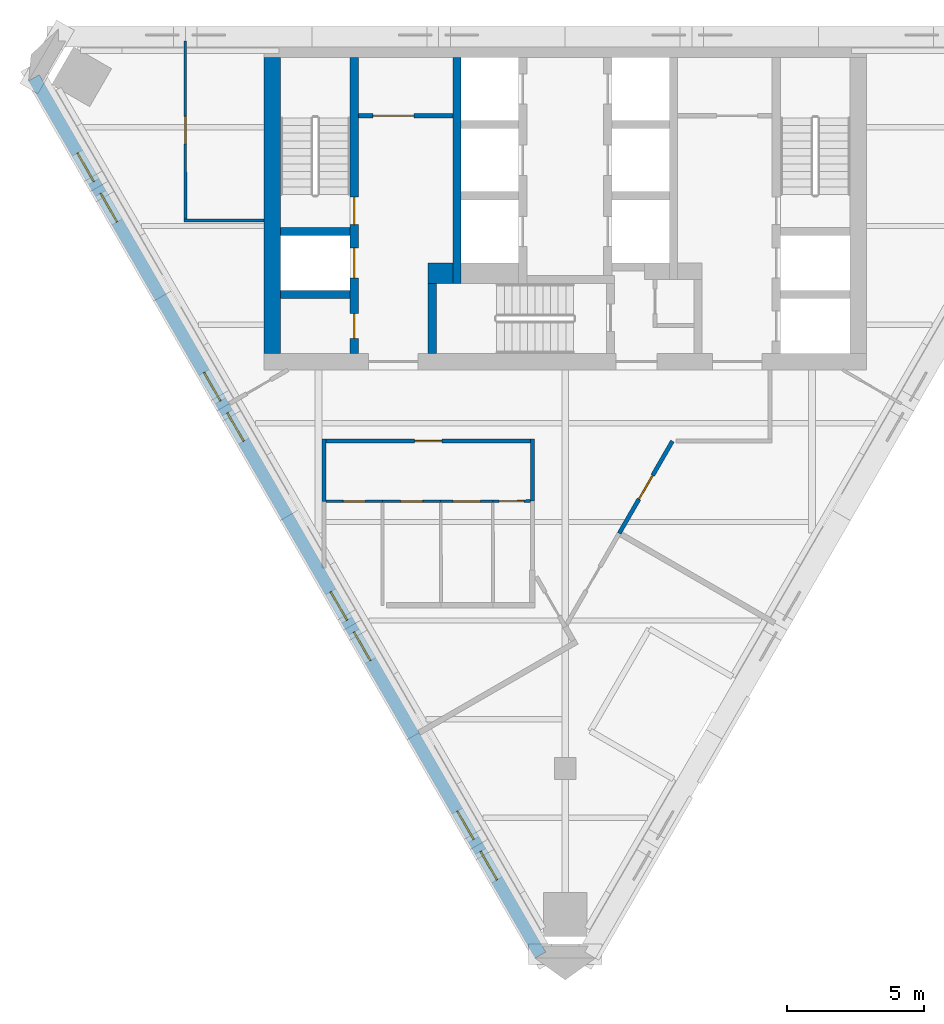
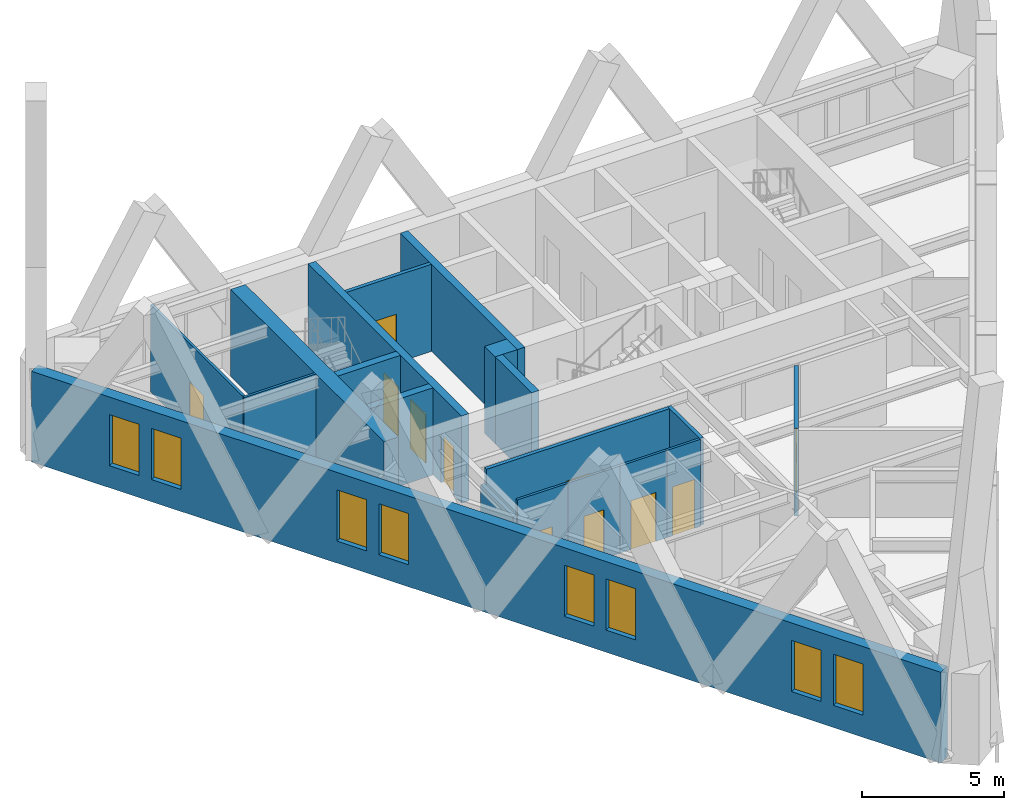
# One storey, part 3 of 7: 19 walls, 11 doors, 8 windows, 19 openings.
"""IFC4 building model written with IfcOpenShell, lengths in metres."""

from ifc_helpers import new_model, si_unit, direction, frame, frame_2d, origin, place, context, subcontext, project, spatial, polyline, rectangle, outline, extrude, material, layer, layer_set, type_object, element, fill, save


model = new_model("IFC4")

# Units and contexts
model_context = context("Model", 3, precision=1e-05, world=origin(), true_north=direction((0.0, 1.0)))
body_context = subcontext(model_context, "Body", "Model", "MODEL_VIEW")
ifc_project = project(units=[si_unit("LENGTHUNIT", "METRE"), si_unit("AREAUNIT", "SQUARE_METRE"), si_unit("VOLUMEUNIT", "CUBIC_METRE"), si_unit("PLANEANGLEUNIT", "RADIAN"), si_unit("MASSUNIT", "GRAM", prefix="KILO")], contexts=[model_context])

# Site, building, storey
site_placement = place(None, origin())
site = spatial("IfcSite", under=ifc_project, at=site_placement, CompositionType="ELEMENT")
building_placement = place(site_placement, origin())
building = spatial("IfcBuilding", under=site, at=building_placement, Name="Aloe Facet Convention Tower", CompositionType="ELEMENT")
storey_placement = place(building_placement, frame((0.0, 0.0, 269.89990234375)))
storey = spatial("IfcBuildingStorey", under=building, at=storey_placement, Name="L66", CompositionType="ELEMENT", Elevation=269.89990234375)

# Wall, opening, door
ifc_material_1 = material(Name="Concrete blockwork partition", Category="masonry")
ifc_layer_1 = layer(ifc_material_1, 0.14990234375)
ifc_layer_set_1 = layer_set([ifc_layer_1], Name="CR-W-PART150")
wall_type_1 = type_object("IfcWallType", Name="CR-W-PART150", PredefinedType="PARTITIONING", material=ifc_layer_set_1)
wall_1_placement = place(storey_placement, frame((72.449951171875, 131.824951171875, 0.0), z_axis=(0.0, 0.0, 1.0), x_axis=(1.0, 0.0, 0.0)))
wall_1 = element("IfcWall", 1, at=wall_1_placement, inside=storey, type_object=wall_type_1, Name="Core partition L66-007", PredefinedType="PARTITIONING", context=body_context, shape_type="SweptSolid", body=[
    extrude(rectangle(XDim=3.449951171875, YDim=0.14990234375, at=frame_2d((1.72509765625, 0.0))), origin(), (0.0, 0.0, 1.0), 3.75),
])
opening_1_placement = place(wall_1_placement, frame((0.52490234375, 0.0, 0.0)))
opening_1 = element("IfcOpeningElement", 2, at=opening_1_placement, cuts=wall_1, Name="Opening L66-CD14", PredefinedType="OPENING", context=body_context, shape_type="SweptSolid", body=[
    extrude(rectangle(XDim=1.5, YDim=2.10009765625, at=frame_2d((0.75, 1.050048828125))), frame((0.0, 0.0849609375, 0.0), z_axis=(0.0, -1.0, 0.0), x_axis=(1.0, 0.0, 0.0)), (0.0, 0.0, 1.0), 0.169921875),
])
ifc_material_2 = material(Name="Steel fire-resisting door set FD60", Category="steel")
door_type_1 = type_object("IfcDoorType", Name="CR-D-REFUGE-1500-FD60-DD", OperationType="DOUBLE_DOOR_DOUBLE_SWING", PredefinedType="DOOR", material=ifc_material_2)
door_1_placement = place(opening_1_placement, origin())
door_1 = element("IfcDoor", 3, at=door_1_placement, inside=storey, type_object=door_type_1, Name="Core door L66-CD14", OperationType="DOUBLE_DOOR_DOUBLE_SWING", OverallHeight=2.10009765625, OverallWidth=1.5, PredefinedType="DOOR", context=body_context, shape_type="SweptSolid", body=[
    extrude(rectangle(XDim=1.5, YDim=2.10009765625, at=frame_2d((0.75, 1.050048828125))), frame((0.0, 0.02490234375, 0.0), z_axis=(0.0, -1.0, 0.0), x_axis=(1.0, 0.0, 0.0)), (0.0, 0.0, 1.0), 0.050048828125),
])
fill(opening_1, door_1)

# Walls
ifc_material_3 = material(Name="Concrete C50/60", Category="concrete")
ifc_layer_2 = layer(ifc_material_3, 0.300048828125)
ifc_layer_set_2 = layer_set([ifc_layer_2], Name="CR-W-RC300-C5060")
wall_type_2 = type_object("IfcWallType", Name="CR-W-RC300-C5060", PredefinedType="SOLIDWALL", material=ifc_layer_set_2)
for number, where, z_axis, x_axis, name in (
    (4, (69.60009765625, 127.60009765625, 0.0), (0.0, 0.0, 1.0), (1.0, 0.0, 0.0), "Core wall L66-004"),
    (5, (69.60009765625, 125.300048828125, 0.0), (0.0, 0.0, 1.0), (1.0, 0.0, 0.0), "Core wall L66-005"),
):
    element("IfcWall", number, at=place(storey_placement, frame(where, z_axis=z_axis, x_axis=x_axis)), inside=storey, type_object=wall_type_2, Name=name, PredefinedType="SOLIDWALL", context=body_context, shape_type="SweptSolid", body=[
        extrude(rectangle(XDim=2.5498046875, YDim=0.300048828125, at=frame_2d((1.27490234375, 0.0))), origin(), (0.0, 0.0, 1.0), 3.75),
    ])

# Wall, openings, doors
wall_2_placement = place(storey_placement, frame((72.300048828125, 133.949951171875, 0.0), z_axis=(0.0, 0.0, 1.0), x_axis=(0.0, -1.0, 0.0)))
wall_2 = element("IfcWall", 6, at=wall_2_placement, inside=storey, type_object=wall_type_2, Name="Core wall L66-006", PredefinedType="SOLIDWALL", context=body_context, shape_type="SweptSolid", body=[
    extrude(rectangle(XDim=10.800048828125, YDim=0.300048828125, at=frame_2d((5.39990234375, 0.0))), origin(), (0.0, 0.0, 1.0), 3.75),
])
opening_2_placement = place(wall_2_placement, frame((6.949951171875, 0.0, 0.0)))
opening_2 = element("IfcOpeningElement", 7, at=opening_2_placement, cuts=wall_2, Name="Opening LD-FF1-L66", PredefinedType="OPENING", context=body_context, shape_type="SweptSolid", body=[
    extrude(rectangle(XDim=1.10009765625, YDim=2.10009765625, at=frame_2d((0.550048828125, 1.050048828125))), frame((0.0, 0.16015625, 0.0), z_axis=(0.0, -1.0, 0.0), x_axis=(1.0, 0.0, 0.0)), (0.0, 0.0, 1.0), 0.320068359375),
])
opening_3_placement = place(wall_2_placement, frame((9.35009765625, 0.0, 0.0)))
opening_3 = element("IfcOpeningElement", 8, at=opening_3_placement, cuts=wall_2, Name="Opening L66-CD15", PredefinedType="OPENING", context=body_context, shape_type="SweptSolid", body=[
    extrude(rectangle(XDim=0.89990234375, YDim=2.10009765625, at=frame_2d((0.449951171875, 1.050048828125))), frame((0.0, 0.16015625, 0.0), z_axis=(0.0, -1.0, 0.0), x_axis=(1.0, 0.0, 0.0)), (0.0, 0.0, 1.0), 0.320068359375),
])
opening_4_placement = place(wall_2_placement, frame((5.10009765625, 0.0, 0.0)))
opening_4 = element("IfcOpeningElement", 9, at=opening_4_placement, cuts=wall_2, Name="Opening L66-CD16", PredefinedType="OPENING", context=body_context, shape_type="SweptSolid", body=[
    extrude(rectangle(XDim=1.0, YDim=2.10009765625, at=frame_2d((0.5, 1.050048828125))), frame((0.0, 0.16015625, 0.0), z_axis=(0.0, -1.0, 0.0), x_axis=(1.0, 0.0, 0.0)), (0.0, 0.0, 1.0), 0.320068359375),
])
ifc_material_4 = material(Name="Steel fire-resisting door set FD60", Category="steel")
door_type_2 = type_object("IfcDoorType", Name="CR-D-ROOM-900-FD60-SLEFT", OperationType="SINGLE_SWING_LEFT", PredefinedType="DOOR", material=ifc_material_4)
door_2_placement = place(opening_3_placement, origin())
door_2 = element("IfcDoor", 10, at=door_2_placement, inside=storey, type_object=door_type_2, Name="Core door L66-CD15", OperationType="SINGLE_SWING_LEFT", OverallHeight=2.10009765625, OverallWidth=0.89990234375, PredefinedType="DOOR", context=body_context, shape_type="SweptSolid", body=[
    extrude(rectangle(XDim=0.89990234375, YDim=2.10009765625, at=frame_2d((0.449951171875, 1.050048828125))), frame((0.0, 0.02490234375, 0.0), z_axis=(0.0, -1.0, 0.0), x_axis=(1.0, 0.0, 0.0)), (0.0, 0.0, 1.0), 0.050048828125),
])
fill(opening_3, door_2)
ifc_material_5 = material(Name="Steel fire-resisting door set FD120", Category="steel")
door_type_3 = type_object("IfcDoorType", Name="CR-D-STAIR-1000-FD120-SRIGHT", OperationType="SINGLE_SWING_RIGHT", PredefinedType="DOOR", material=ifc_material_5)
door_3_placement = place(opening_4_placement, origin())
door_3 = element("IfcDoor", 11, at=door_3_placement, inside=storey, type_object=door_type_3, Name="Core door L66-CD16", OperationType="SINGLE_SWING_RIGHT", OverallHeight=2.10009765625, OverallWidth=1.0, PredefinedType="DOOR", context=body_context, shape_type="SweptSolid", body=[
    extrude(rectangle(XDim=1.0, YDim=2.10009765625, at=frame_2d((0.5, 1.050048828125))), frame((0.0, 0.02490234375, 0.0), z_axis=(0.0, -1.0, 0.0), x_axis=(1.0, 0.0, 0.0)), (0.0, 0.0, 1.0), 0.050048828125),
])
fill(opening_4, door_3)
ifc_material_6 = material(Name="Stainless steel sliding landing door", Category="steel")
door_type_4 = type_object("IfcDoorType", Name="CR-LD-1100-FD120-_LEFT", OperationType="SLIDING_TO_LEFT", PredefinedType="DOOR", material=ifc_material_6)
door_4_placement = place(opening_2_placement, origin())
door_4 = element("IfcDoor", 12, at=door_4_placement, inside=storey, type_object=door_type_4, Name="Landing door FF1 L66", OperationType="SLIDING_TO_LEFT", OverallHeight=2.10009765625, OverallWidth=1.10009765625, PredefinedType="DOOR", context=body_context, shape_type="SweptSolid", body=[
    extrude(rectangle(XDim=1.10009765625, YDim=2.10009765625, at=frame_2d((0.550048828125, 1.050048828125))), frame((0.0, 0.02490234375, 0.0), z_axis=(0.0, -1.0, 0.0), x_axis=(1.0, 0.0, 0.0)), (0.0, 0.0, 1.0), 0.050048828125),
])
fill(opening_2, door_4)

# Walls
wall_3_placement = place(storey_placement, frame((75.14990234375, 125.699951171875, 0.0), z_axis=(0.0, 0.0, 1.0), x_axis=(0.0, -1.0, 0.0)))
element("IfcWall", 13, at=wall_3_placement, inside=storey, type_object=wall_type_2, Name="Core wall L66-009", PredefinedType="SOLIDWALL", context=body_context, shape_type="SweptSolid", body=[
    extrude(rectangle(XDim=2.550048828125, YDim=0.300048828125, at=frame_2d((1.27490234375, 0.0))), origin(), (0.0, 0.0, 1.0), 3.75),
])
wall_4_placement = place(storey_placement, frame((76.050048828125, 133.949951171875, 0.0), z_axis=(0.0, 0.0, 1.0), x_axis=(0.0, -1.0, 0.0)))
element("IfcWall", 14, at=wall_4_placement, inside=storey, type_object=wall_type_2, Name="Core wall L66-010", PredefinedType="SOLIDWALL", context=body_context, shape_type="SweptSolid", body=[
    extrude(rectangle(XDim=8.25, YDim=0.300048828125, at=frame_2d((4.125, 0.0))), origin(), (0.0, 0.0, 1.0), 3.75),
])
ifc_material_7 = material(Name="Concrete C50/60", Category="concrete")
ifc_layer_3 = layer(ifc_material_7, 0.60009765625)
ifc_layer_set_3 = layer_set([ifc_layer_3], Name="CR-W-RC600-C5060")
wall_type_3 = type_object("IfcWallType", Name="CR-W-RC600-C5060", PredefinedType="SOLIDWALL", material=ifc_layer_set_3)
wall_5_placement = place(storey_placement, frame((69.300048828125, 133.949951171875, 0.0), z_axis=(0.0, 0.0, 1.0), x_axis=(0.0, -1.0, 0.0)))
element("IfcWall", 15, at=wall_5_placement, inside=storey, type_object=wall_type_3, Name="Core wall L66-002", PredefinedType="SOLIDWALL", context=body_context, shape_type="SweptSolid", body=[
    extrude(rectangle(XDim=10.800048828125, YDim=0.60009765625, at=frame_2d((5.39990234375, 0.0))), origin(), (0.0, 0.0, 1.0), 3.75),
])
ifc_material_8 = material(Name="Concrete C50/60", Category="concrete")
ifc_layer_4 = layer(ifc_material_8, 0.75)
ifc_layer_set_4 = layer_set([ifc_layer_4], Name="CR-W-RC750-C5060")
wall_type_4 = type_object("IfcWallType", Name="CR-W-RC750-C5060", PredefinedType="SOLIDWALL", material=ifc_layer_set_4)
wall_6_placement = place(storey_placement, frame((75.0, 126.074951171875, 0.0), z_axis=(0.0, 0.0, 1.0), x_axis=(1.0, 0.0, 0.0)))
element("IfcWall", 16, at=wall_6_placement, inside=storey, type_object=wall_type_4, Name="Core wall L66-008", PredefinedType="SOLIDWALL", context=body_context, shape_type="SweptSolid", body=[
    extrude(rectangle(XDim=0.89990234375, YDim=0.75, at=frame_2d((0.449951171875, 0.0))), origin(), (0.0, 0.0, 1.0), 3.75),
])

# Wall, openings, windows
ifc_material_9 = material(Name="Precast concrete C40/50", Category="concrete")
ifc_layer_5 = layer(ifc_material_9, 0.449951171875)
ifc_layer_set_5 = layer_set([ifc_layer_5], Name="EV-WALL-STONE")
wall_type_5 = type_object("IfcWallType", Name="EV-WALL-STONE", PredefinedType="SOLIDWALL", material=ifc_layer_set_5)
wall_7_placement = place(storey_placement, frame((60.608642578125, 133.207275390625, -0.14990234375), z_axis=(0.0, 0.0, 1.0), x_axis=(0.500002536638, -0.866023939251, 0.0)))
wall_7 = element("IfcWall", 17, at=wall_7_placement, inside=storey, type_object=wall_type_5, Name="EW-L66-W01", PredefinedType="SOLIDWALL", context=body_context, shape_type="SweptSolid", body=[
    extrude(outline(polyline([(36.972412109375, 0.0), (36.972412109375, 3.89990234375), (0.0, 3.89990234375), (0.0, 0.0), (36.972412109375, 0.0)])), frame((0.0, 0.22509765625, 0.0), z_axis=(0.0, -1.0, 0.0), x_axis=(1.0, 0.0, 0.0)), (0.0, 0.0, 1.0), 0.449951171875),
])
opening_5_placement = place(wall_7_placement, frame((3.171630859375, 0.0, 0.949951171875)))
opening_5 = element("IfcOpeningElement", 18, at=opening_5_placement, cuts=wall_7, Name="Opening W-L66-W01", PredefinedType="OPENING", context=body_context, shape_type="SweptSolid", body=[
    extrude(rectangle(XDim=1.199951171875, YDim=2.199951171875, at=frame_2d((0.60009765625, 1.10009765625))), frame((0.0, 0.23486328125, 0.0), z_axis=(0.0, -1.0, 0.0), x_axis=(1.0, 0.0, 0.0)), (0.0, 0.0, 1.0), 0.469970703125),
])
opening_6_placement = place(wall_7_placement, frame((4.87158203125, 0.0, 0.949951171875)))
opening_6 = element("IfcOpeningElement", 19, at=opening_6_placement, cuts=wall_7, Name="Opening W-L66-W02", PredefinedType="OPENING", context=body_context, shape_type="SweptSolid", body=[
    extrude(rectangle(XDim=1.199951171875, YDim=2.199951171875, at=frame_2d((0.60009765625, 1.10009765625))), frame((0.0, 0.23486328125, 0.0), z_axis=(0.0, -1.0, 0.0), x_axis=(1.0, 0.0, 0.0)), (0.0, 0.0, 1.0), 0.469970703125),
])
opening_7_placement = place(wall_7_placement, frame((12.41455078125, 0.0, 0.949951171875)))
opening_7 = element("IfcOpeningElement", 20, at=opening_7_placement, cuts=wall_7, Name="Opening W-L66-W03", PredefinedType="OPENING", context=body_context, shape_type="SweptSolid", body=[
    extrude(rectangle(XDim=1.199951171875, YDim=2.199951171875, at=frame_2d((0.60009765625, 1.10009765625))), frame((0.0, 0.23486328125, 0.0), z_axis=(0.0, -1.0, 0.0), x_axis=(1.0, 0.0, 0.0)), (0.0, 0.0, 1.0), 0.469970703125),
])
opening_8_placement = place(wall_7_placement, frame((14.114501953125, 0.0, 0.949951171875)))
opening_8 = element("IfcOpeningElement", 21, at=opening_8_placement, cuts=wall_7, Name="Opening W-L66-W04", PredefinedType="OPENING", context=body_context, shape_type="SweptSolid", body=[
    extrude(rectangle(XDim=1.199951171875, YDim=2.199951171875, at=frame_2d((0.60009765625, 1.10009765625))), frame((0.0, 0.23486328125, 0.0), z_axis=(0.0, -1.0, 0.0), x_axis=(1.0, 0.0, 0.0)), (0.0, 0.0, 1.0), 0.469970703125),
])
opening_9_placement = place(wall_7_placement, frame((21.65771484375, 0.0, 0.949951171875)))
opening_9 = element("IfcOpeningElement", 22, at=opening_9_placement, cuts=wall_7, Name="Opening W-L66-W05", PredefinedType="OPENING", context=body_context, shape_type="SweptSolid", body=[
    extrude(rectangle(XDim=1.199951171875, YDim=2.199951171875, at=frame_2d((0.60009765625, 1.10009765625))), frame((0.0, 0.23486328125, 0.0), z_axis=(0.0, -1.0, 0.0), x_axis=(1.0, 0.0, 0.0)), (0.0, 0.0, 1.0), 0.469970703125),
])
opening_10_placement = place(wall_7_placement, frame((23.357666015625, 0.0, 0.949951171875)))
opening_10 = element("IfcOpeningElement", 23, at=opening_10_placement, cuts=wall_7, Name="Opening W-L66-W06", PredefinedType="OPENING", context=body_context, shape_type="SweptSolid", body=[
    extrude(rectangle(XDim=1.199951171875, YDim=2.199951171875, at=frame_2d((0.60009765625, 1.10009765625))), frame((0.0, 0.23486328125, 0.0), z_axis=(0.0, -1.0, 0.0), x_axis=(1.0, 0.0, 0.0)), (0.0, 0.0, 1.0), 0.469970703125),
])
opening_11_placement = place(wall_7_placement, frame((30.90087890625, 0.0, 0.949951171875)))
opening_11 = element("IfcOpeningElement", 24, at=opening_11_placement, cuts=wall_7, Name="Opening W-L66-W07", PredefinedType="OPENING", context=body_context, shape_type="SweptSolid", body=[
    extrude(rectangle(XDim=1.199951171875, YDim=2.199951171875, at=frame_2d((0.60009765625, 1.10009765625))), frame((0.0, 0.23486328125, 0.0), z_axis=(0.0, -1.0, 0.0), x_axis=(1.0, 0.0, 0.0)), (0.0, 0.0, 1.0), 0.469970703125),
])
opening_12_placement = place(wall_7_placement, frame((32.600830078125, 0.0, 0.949951171875)))
opening_12 = element("IfcOpeningElement", 25, at=opening_12_placement, cuts=wall_7, Name="Opening W-L66-W08", PredefinedType="OPENING", context=body_context, shape_type="SweptSolid", body=[
    extrude(rectangle(XDim=1.199951171875, YDim=2.199951171875, at=frame_2d((0.60009765625, 1.10009765625))), frame((0.0, 0.23486328125, 0.0), z_axis=(0.0, -1.0, 0.0), x_axis=(1.0, 0.0, 0.0)), (0.0, 0.0, 1.0), 0.469970703125),
])
ifc_material_10 = material(Name="Aluminium frame, clear double glazing", Category="aluminium")
window_type = type_object("IfcWindowType", Name="EV-WIN-O12", PartitioningType="SINGLE_PANEL", PredefinedType="WINDOW", material=ifc_material_10)
window_1_placement = place(opening_5_placement, origin())
window_1 = element("IfcWindow", 26, at=window_1_placement, inside=storey, type_object=window_type, Name="W-L66-W01", OverallHeight=2.199951171875, OverallWidth=1.199951171875, PartitioningType="SINGLE_PANEL", PredefinedType="WINDOW", context=body_context, shape_type="SweptSolid", body=[
    extrude(rectangle(XDim=1.199951171875, YDim=2.199951171875, at=frame_2d((0.60009765625, 1.10009765625))), frame((0.0, 0.030029296875, 0.0), z_axis=(0.0, -1.0, 0.0), x_axis=(1.0, 0.0, 0.0)), (0.0, 0.0, 1.0), 0.06005859375),
])
fill(opening_5, window_1)
window_2_placement = place(opening_6_placement, origin())
window_2 = element("IfcWindow", 27, at=window_2_placement, inside=storey, type_object=window_type, Name="W-L66-W02", OverallHeight=2.199951171875, OverallWidth=1.199951171875, PartitioningType="SINGLE_PANEL", PredefinedType="WINDOW", context=body_context, shape_type="SweptSolid", body=[
    extrude(rectangle(XDim=1.199951171875, YDim=2.199951171875, at=frame_2d((0.60009765625, 1.10009765625))), frame((0.0, 0.030029296875, 0.0), z_axis=(0.0, -1.0, 0.0), x_axis=(1.0, 0.0, 0.0)), (0.0, 0.0, 1.0), 0.06005859375),
])
fill(opening_6, window_2)
window_3_placement = place(opening_7_placement, origin())
window_3 = element("IfcWindow", 28, at=window_3_placement, inside=storey, type_object=window_type, Name="W-L66-W03", OverallHeight=2.199951171875, OverallWidth=1.199951171875, PartitioningType="SINGLE_PANEL", PredefinedType="WINDOW", context=body_context, shape_type="SweptSolid", body=[
    extrude(rectangle(XDim=1.199951171875, YDim=2.199951171875, at=frame_2d((0.60009765625, 1.10009765625))), frame((0.0, 0.030029296875, 0.0), z_axis=(0.0, -1.0, 0.0), x_axis=(1.0, 0.0, 0.0)), (0.0, 0.0, 1.0), 0.06005859375),
])
fill(opening_7, window_3)
window_4_placement = place(opening_8_placement, origin())
window_4 = element("IfcWindow", 29, at=window_4_placement, inside=storey, type_object=window_type, Name="W-L66-W04", OverallHeight=2.199951171875, OverallWidth=1.199951171875, PartitioningType="SINGLE_PANEL", PredefinedType="WINDOW", context=body_context, shape_type="SweptSolid", body=[
    extrude(rectangle(XDim=1.199951171875, YDim=2.199951171875, at=frame_2d((0.60009765625, 1.10009765625))), frame((0.0, 0.030029296875, 0.0), z_axis=(0.0, -1.0, 0.0), x_axis=(1.0, 0.0, 0.0)), (0.0, 0.0, 1.0), 0.06005859375),
])
fill(opening_8, window_4)
window_5_placement = place(opening_9_placement, origin())
window_5 = element("IfcWindow", 30, at=window_5_placement, inside=storey, type_object=window_type, Name="W-L66-W05", OverallHeight=2.199951171875, OverallWidth=1.199951171875, PartitioningType="SINGLE_PANEL", PredefinedType="WINDOW", context=body_context, shape_type="SweptSolid", body=[
    extrude(rectangle(XDim=1.199951171875, YDim=2.199951171875, at=frame_2d((0.60009765625, 1.10009765625))), frame((0.0, 0.030029296875, 0.0), z_axis=(0.0, -1.0, 0.0), x_axis=(1.0, 0.0, 0.0)), (0.0, 0.0, 1.0), 0.06005859375),
])
fill(opening_9, window_5)
window_6_placement = place(opening_10_placement, origin())
window_6 = element("IfcWindow", 31, at=window_6_placement, inside=storey, type_object=window_type, Name="W-L66-W06", OverallHeight=2.199951171875, OverallWidth=1.199951171875, PartitioningType="SINGLE_PANEL", PredefinedType="WINDOW", context=body_context, shape_type="SweptSolid", body=[
    extrude(rectangle(XDim=1.199951171875, YDim=2.199951171875, at=frame_2d((0.60009765625, 1.10009765625))), frame((0.0, 0.030029296875, 0.0), z_axis=(0.0, -1.0, 0.0), x_axis=(1.0, 0.0, 0.0)), (0.0, 0.0, 1.0), 0.06005859375),
])
fill(opening_10, window_6)
window_7_placement = place(opening_11_placement, origin())
window_7 = element("IfcWindow", 32, at=window_7_placement, inside=storey, type_object=window_type, Name="W-L66-W07", OverallHeight=2.199951171875, OverallWidth=1.199951171875, PartitioningType="SINGLE_PANEL", PredefinedType="WINDOW", context=body_context, shape_type="SweptSolid", body=[
    extrude(rectangle(XDim=1.199951171875, YDim=2.199951171875, at=frame_2d((0.60009765625, 1.10009765625))), frame((0.0, 0.030029296875, 0.0), z_axis=(0.0, -1.0, 0.0), x_axis=(1.0, 0.0, 0.0)), (0.0, 0.0, 1.0), 0.06005859375),
])
fill(opening_11, window_7)
window_8_placement = place(opening_12_placement, origin())
window_8 = element("IfcWindow", 33, at=window_8_placement, inside=storey, type_object=window_type, Name="W-L66-W08", OverallHeight=2.199951171875, OverallWidth=1.199951171875, PartitioningType="SINGLE_PANEL", PredefinedType="WINDOW", context=body_context, shape_type="SweptSolid", body=[
    extrude(rectangle(XDim=1.199951171875, YDim=2.199951171875, at=frame_2d((0.60009765625, 1.10009765625))), frame((0.0, 0.030029296875, 0.0), z_axis=(0.0, -1.0, 0.0), x_axis=(1.0, 0.0, 0.0)), (0.0, 0.0, 1.0), 0.06005859375),
])
fill(opening_12, window_8)

# Walls
ifc_material_11 = material(Name="Gypsum board partition on steel studs", Category="steel")
ifc_layer_6 = layer(ifc_material_11, 0.14990234375)
ifc_layer_set_6 = layer_set([ifc_layer_6], Name="IN-W-CORR")
wall_type_6 = type_object("IfcWallType", Name="IN-W-CORR", PredefinedType="PARTITIONING", material=ifc_layer_set_6)
wall_8_placement = place(storey_placement, frame((78.800048828125, 117.760009765625, 0.0), z_axis=(0.0, 0.0, 1.0), x_axis=(0.0, 1.0, 0.0)))
element("IfcWall", 34, at=wall_8_placement, inside=storey, type_object=wall_type_6, Name="Partition L66-W011", PredefinedType="PARTITIONING", context=body_context, shape_type="SweptSolid", body=[
    extrude(rectangle(XDim=2.262939453125, YDim=0.14990234375, at=frame_2d((1.13134765625, 0.0))), origin(), (0.0, 0.0, 1.0), 3.75),
])
wall_9_placement = place(storey_placement, frame((71.199951171875, 117.75, 0.0), z_axis=(0.0, 0.0, 1.0), x_axis=(0.0, 1.0, 0.0)))
element("IfcWall", 35, at=wall_9_placement, inside=storey, type_object=wall_type_6, Name="Partition L66-W020", PredefinedType="PARTITIONING", context=body_context, shape_type="SweptSolid", body=[
    extrude(rectangle(XDim=2.27294921875, YDim=0.14990234375, at=frame_2d((1.136474609375, 0.0))), origin(), (0.0, 0.0, 1.0), 3.062255859375),
])

# Wall, opening, door
wall_10_placement = place(storey_placement, frame((81.97021484375, 116.5830078125, 0.0), z_axis=(0.0, 0.0, 1.0), x_axis=(0.500003384379, 0.866023449803, 0.0)))
wall_10 = element("IfcWall", 36, at=wall_10_placement, inside=storey, type_object=wall_type_6, Name="Partition L66-W021", PredefinedType="PARTITIONING", context=body_context, shape_type="SweptSolid", body=[
    extrude(rectangle(XDim=3.88671875, YDim=0.14990234375, at=frame_2d((1.943359375, 0.0))), origin(), (0.0, 0.0, 1.0), 3.75),
])
opening_13_placement = place(wall_10_placement, frame((1.443359375, 0.0, 0.0)))
opening_13 = element("IfcOpeningElement", 37, at=opening_13_placement, cuts=wall_10, Name="Opening L66-011", PredefinedType="OPENING", context=body_context, shape_type="SweptSolid", body=[
    extrude(rectangle(XDim=1.0, YDim=2.10009765625, at=frame_2d((0.5, 1.050048828125))), frame((0.0, 0.0849609375, 0.0), z_axis=(0.0, -1.0, 0.0), x_axis=(1.0, 0.0, 0.0)), (0.0, 0.0, 1.0), 0.169921875),
])
ifc_material_12 = material(Name="Timber door FD30S with vision panel", Category="wood")
door_type_5 = type_object("IfcDoorType", Name="IN-OFF-D-ENTRY", OperationType="SINGLE_SWING_LEFT", PredefinedType="DOOR", material=ifc_material_12)
door_5_placement = place(opening_13_placement, origin())
door_5 = element("IfcDoor", 38, at=door_5_placement, inside=storey, type_object=door_type_5, Name="Door L66-011", OperationType="SINGLE_SWING_LEFT", OverallHeight=2.10009765625, OverallWidth=1.0, PredefinedType="DOOR", context=body_context, shape_type="SweptSolid", body=[
    extrude(rectangle(XDim=1.0, YDim=2.10009765625, at=frame_2d((0.5, 1.050048828125))), frame((0.0, 0.02490234375, 0.0), z_axis=(0.0, -1.0, 0.0), x_axis=(1.0, 0.0, 0.0)), (0.0, 0.0, 1.0), 0.050048828125),
])
fill(opening_13, door_5)

wall_11_placement = place(storey_placement, frame((71.27490234375, 119.947998046875, 0.0), z_axis=(0.0, 0.0, 1.0), x_axis=(1.0, 0.0, 0.0)))
wall_11 = element("IfcWall", 39, at=wall_11_placement, inside=storey, type_object=wall_type_6, Name="Partition L66-W022", PredefinedType="PARTITIONING", context=body_context, shape_type="SweptSolid", body=[
    extrude(rectangle(XDim=7.4501953125, YDim=0.14990234375, at=frame_2d((3.72509765625, 0.0))), origin(), (0.0, 0.0, 1.0), 3.75),
])
opening_14_placement = place(wall_11_placement, frame((3.22509765625, 0.0, 0.0)))
opening_14 = element("IfcOpeningElement", 40, at=opening_14_placement, cuts=wall_11, Name="Opening L66-001", PredefinedType="OPENING", context=body_context, shape_type="SweptSolid", body=[
    extrude(rectangle(XDim=1.0, YDim=2.10009765625, at=frame_2d((0.5, 1.050048828125))), frame((0.0, 0.0849609375, 0.0), z_axis=(0.0, -1.0, 0.0), x_axis=(1.0, 0.0, 0.0)), (0.0, 0.0, 1.0), 0.169921875),
])
door_6_placement = place(opening_14_placement, origin())
door_6 = element("IfcDoor", 41, at=door_6_placement, inside=storey, type_object=door_type_5, Name="Door L66-001", OperationType="SINGLE_SWING_LEFT", OverallHeight=2.10009765625, OverallWidth=1.0, PredefinedType="DOOR", context=body_context, shape_type="SweptSolid", body=[
    extrude(rectangle(XDim=1.0, YDim=2.10009765625, at=frame_2d((0.5, 1.050048828125))), frame((0.0, 0.02490234375, 0.0), z_axis=(0.0, -1.0, 0.0), x_axis=(1.0, 0.0, 0.0)), (0.0, 0.0, 1.0), 0.050048828125),
])
fill(opening_14, door_6)

ifc_material_13 = material(Name="Gypsum board partition on steel studs", Category="steel")
ifc_layer_7 = layer(ifc_material_13, 0.10009765625)
ifc_layer_set_7 = layer_set([ifc_layer_7], Name="IN-W-PART")
wall_type_7 = type_object("IfcWallType", Name="IN-W-PART", PredefinedType="PARTITIONING", material=ifc_layer_set_7)
wall_12_placement = place(storey_placement, frame((71.27490234375, 117.75, 0.0), z_axis=(0.0, 0.0, 1.0), x_axis=(1.0, 0.0, 0.0)))
wall_12 = element("IfcWall", 42, at=wall_12_placement, inside=storey, type_object=wall_type_7, Name="Partition L66-W013", PredefinedType="PARTITIONING", context=body_context, shape_type="SweptSolid", body=[
    extrude(rectangle(XDim=2.052978515625, YDim=0.10009765625, at=frame_2d((1.0263671875, 0.0))), origin(), (0.0, 0.0, 1.0), 3.75),
])
opening_15_placement = place(wall_12_placement, frame((0.62646484375, 0.0, 0.0)))
opening_15 = element("IfcOpeningElement", 43, at=opening_15_placement, cuts=wall_12, Name="Opening L66-002", PredefinedType="OPENING", context=body_context, shape_type="SweptSolid", body=[
    extrude(rectangle(XDim=0.800048828125, YDim=2.10009765625, at=frame_2d((0.39990234375, 1.050048828125))), frame((0.0, 0.06005859375, 0.0), z_axis=(0.0, -1.0, 0.0), x_axis=(1.0, 0.0, 0.0)), (0.0, 0.0, 1.0), 0.1201171875),
])
ifc_material_14 = material(Name="Timber door", Category="wood")
door_type_6 = type_object("IfcDoorType", Name="IN-OFF-D-WC", OperationType="SINGLE_SWING_LEFT", PredefinedType="DOOR", material=ifc_material_14)
door_7_placement = place(opening_15_placement, origin())
door_7 = element("IfcDoor", 44, at=door_7_placement, inside=storey, type_object=door_type_6, Name="Door L66-002", OperationType="SINGLE_SWING_LEFT", OverallHeight=2.10009765625, OverallWidth=0.800048828125, PredefinedType="DOOR", context=body_context, shape_type="SweptSolid", body=[
    extrude(rectangle(XDim=0.800048828125, YDim=2.10009765625, at=frame_2d((0.39990234375, 1.050048828125))), frame((0.0, 0.02490234375, 0.0), z_axis=(0.0, -1.0, 0.0), x_axis=(1.0, 0.0, 0.0)), (0.0, 0.0, 1.0), 0.050048828125),
])
fill(opening_15, door_7)

wall_13_placement = place(storey_placement, frame((73.327880859375, 117.75, 0.0), z_axis=(0.0, 0.0, 1.0), x_axis=(1.0, 0.0, 0.0)))
wall_13 = element("IfcWall", 45, at=wall_13_placement, inside=storey, type_object=wall_type_7, Name="Partition L66-W015", PredefinedType="PARTITIONING", context=body_context, shape_type="SweptSolid", body=[
    extrude(rectangle(XDim=2.128173828125, YDim=0.10009765625, at=frame_2d((1.06396484375, 0.0))), origin(), (0.0, 0.0, 1.0), 3.75),
])
opening_16_placement = place(wall_13_placement, frame((0.6640625, 0.0, 0.0)))
opening_16 = element("IfcOpeningElement", 46, at=opening_16_placement, cuts=wall_13, Name="Opening L66-003", PredefinedType="OPENING", context=body_context, shape_type="SweptSolid", body=[
    extrude(rectangle(XDim=0.800048828125, YDim=2.10009765625, at=frame_2d((0.39990234375, 1.050048828125))), frame((0.0, 0.06005859375, 0.0), z_axis=(0.0, -1.0, 0.0), x_axis=(1.0, 0.0, 0.0)), (0.0, 0.0, 1.0), 0.1201171875),
])
door_8_placement = place(opening_16_placement, origin())
door_8 = element("IfcDoor", 47, at=door_8_placement, inside=storey, type_object=door_type_6, Name="Door L66-003", OperationType="SINGLE_SWING_LEFT", OverallHeight=2.10009765625, OverallWidth=0.800048828125, PredefinedType="DOOR", context=body_context, shape_type="SweptSolid", body=[
    extrude(rectangle(XDim=0.800048828125, YDim=2.10009765625, at=frame_2d((0.39990234375, 1.050048828125))), frame((0.0, 0.02490234375, 0.0), z_axis=(0.0, -1.0, 0.0), x_axis=(1.0, 0.0, 0.0)), (0.0, 0.0, 1.0), 0.050048828125),
])
fill(opening_16, door_8)

wall_14_placement = place(storey_placement, frame((75.4560546875, 117.75, 0.0), z_axis=(0.0, 0.0, 1.0), x_axis=(1.0, 0.0, 0.0)))
wall_14 = element("IfcWall", 48, at=wall_14_placement, inside=storey, type_object=wall_type_7, Name="Partition L66-W017", PredefinedType="PARTITIONING", context=body_context, shape_type="SweptSolid", body=[
    extrude(rectangle(XDim=1.89990234375, YDim=0.10009765625, at=frame_2d((0.949951171875, 0.0))), origin(), (0.0, 0.0, 1.0), 3.75),
])
opening_17_placement = place(wall_14_placement, frame((0.449951171875, 0.0, 0.0)))
opening_17 = element("IfcOpeningElement", 49, at=opening_17_placement, cuts=wall_14, Name="Opening L66-004", PredefinedType="OPENING", context=body_context, shape_type="SweptSolid", body=[
    extrude(rectangle(XDim=1.0, YDim=2.10009765625, at=frame_2d((0.5, 1.050048828125))), frame((0.0, 0.06005859375, 0.0), z_axis=(0.0, -1.0, 0.0), x_axis=(1.0, 0.0, 0.0)), (0.0, 0.0, 1.0), 0.1201171875),
])
ifc_material_15 = material(Name="Timber door", Category="wood")
door_type_7 = type_object("IfcDoorType", Name="IN-OFF-D-WIDE", OperationType="SINGLE_SWING_LEFT", PredefinedType="DOOR", material=ifc_material_15)
door_9_placement = place(opening_17_placement, origin())
door_9 = element("IfcDoor", 50, at=door_9_placement, inside=storey, type_object=door_type_7, Name="Door L66-004", OperationType="SINGLE_SWING_LEFT", OverallHeight=2.10009765625, OverallWidth=1.0, PredefinedType="DOOR", context=body_context, shape_type="SweptSolid", body=[
    extrude(rectangle(XDim=1.0, YDim=2.10009765625, at=frame_2d((0.5, 1.050048828125))), frame((0.0, 0.02490234375, 0.0), z_axis=(0.0, -1.0, 0.0), x_axis=(1.0, 0.0, 0.0)), (0.0, 0.0, 1.0), 0.050048828125),
])
fill(opening_17, door_9)

wall_15_placement = place(storey_placement, frame((77.35595703125, 117.75, 0.0), z_axis=(0.0, 0.0, 1.0), x_axis=(0.999975819379, 0.006954182767, 0.0)))
wall_15 = element("IfcWall", 51, at=wall_15_placement, inside=storey, type_object=wall_type_7, Name="Partition L66-W018", PredefinedType="PARTITIONING", context=body_context, shape_type="SweptSolid", body=[
    extrude(rectangle(XDim=1.369140625, YDim=0.10009765625, at=frame_2d((0.6845703125, 0.0))), origin(), (0.0, 0.0, 1.0), 3.75),
])
opening_18_placement = place(wall_15_placement, frame((0.234619140625, 0.0, 0.0)))
opening_18 = element("IfcOpeningElement", 52, at=opening_18_placement, cuts=wall_15, Name="Opening L66-005", PredefinedType="OPENING", context=body_context, shape_type="SweptSolid", body=[
    extrude(rectangle(XDim=0.89990234375, YDim=2.10009765625, at=frame_2d((0.449951171875, 1.050048828125))), frame((0.0, 0.06005859375, 0.0), z_axis=(0.0, -1.0, 0.0), x_axis=(1.0, 0.0, 0.0)), (0.0, 0.0, 1.0), 0.1201171875),
])
ifc_material_16 = material(Name="Timber door", Category="wood")
door_type_8 = type_object("IfcDoorType", Name="IN-OFF-D-ROOM", OperationType="SINGLE_SWING_LEFT", PredefinedType="DOOR", material=ifc_material_16)
door_10_placement = place(opening_18_placement, origin())
door_10 = element("IfcDoor", 53, at=door_10_placement, inside=storey, type_object=door_type_8, Name="Door L66-005", OperationType="SINGLE_SWING_LEFT", OverallHeight=2.10009765625, OverallWidth=0.89990234375, PredefinedType="DOOR", context=body_context, shape_type="SweptSolid", body=[
    extrude(rectangle(XDim=0.89990234375, YDim=2.10009765625, at=frame_2d((0.449951171875, 1.050048828125))), frame((0.0, 0.02490234375, 0.0), z_axis=(0.0, -1.0, 0.0), x_axis=(1.0, 0.0, 0.0)), (0.0, 0.0, 1.0), 0.050048828125),
])
fill(opening_18, door_10)

# Wall
wall_16_placement = place(storey_placement, frame((66.08740234375, 128.0, 0.0), z_axis=(0.0, 0.0, 1.0), x_axis=(1.0, 0.0, 0.0)))
element("IfcWall", 54, at=wall_16_placement, inside=storey, type_object=wall_type_7, Name="Partition L66-W027", PredefinedType="PARTITIONING", context=body_context, shape_type="SweptSolid", body=[
    extrude(rectangle(XDim=2.91259765625, YDim=0.10009765625, at=frame_2d((1.456298828125, 0.0))), origin(), (0.0, 0.0, 1.0), 3.75),
])

# Wall, opening, door
wall_17_placement = place(storey_placement, frame((66.13232421875, 134.550048828125, 0.0), z_axis=(0.0, 0.0, 1.0), x_axis=(0.000788761774, -0.999999688927, 0.0)))
wall_17 = element("IfcWall", 55, at=wall_17_placement, inside=storey, type_object=wall_type_7, Name="Partition L66-W028", PredefinedType="PARTITIONING", context=body_context, shape_type="SweptSolid", body=[
    extrude(rectangle(XDim=6.5, YDim=0.10009765625, at=frame_2d((3.25, 0.0))), origin(), (0.0, 0.0, 1.0), 3.75),
])
opening_19_placement = place(wall_17_placement, frame((2.75, 0.0, 0.0)))
opening_19 = element("IfcOpeningElement", 56, at=opening_19_placement, cuts=wall_17, Name="Opening L66-007", PredefinedType="OPENING", context=body_context, shape_type="SweptSolid", body=[
    extrude(rectangle(XDim=1.0, YDim=2.10009765625, at=frame_2d((0.5, 1.050048828125))), frame((0.0, 0.06005859375, 0.0), z_axis=(0.0, -1.0, 0.0), x_axis=(1.0, 0.0, 0.0)), (0.0, 0.0, 1.0), 0.1201171875),
])
door_11_placement = place(opening_19_placement, origin())
door_11 = element("IfcDoor", 57, at=door_11_placement, inside=storey, type_object=door_type_7, Name="Door L66-007", OperationType="SINGLE_SWING_LEFT", OverallHeight=2.10009765625, OverallWidth=1.0, PredefinedType="DOOR", context=body_context, shape_type="SweptSolid", body=[
    extrude(rectangle(XDim=1.0, YDim=2.10009765625, at=frame_2d((0.5, 1.050048828125))), frame((0.0, 0.02490234375, 0.0), z_axis=(0.0, -1.0, 0.0), x_axis=(1.0, 0.0, 0.0)), (0.0, 0.0, 1.0), 0.050048828125),
])
fill(opening_19, door_11)

save(model, "model.ifc")
